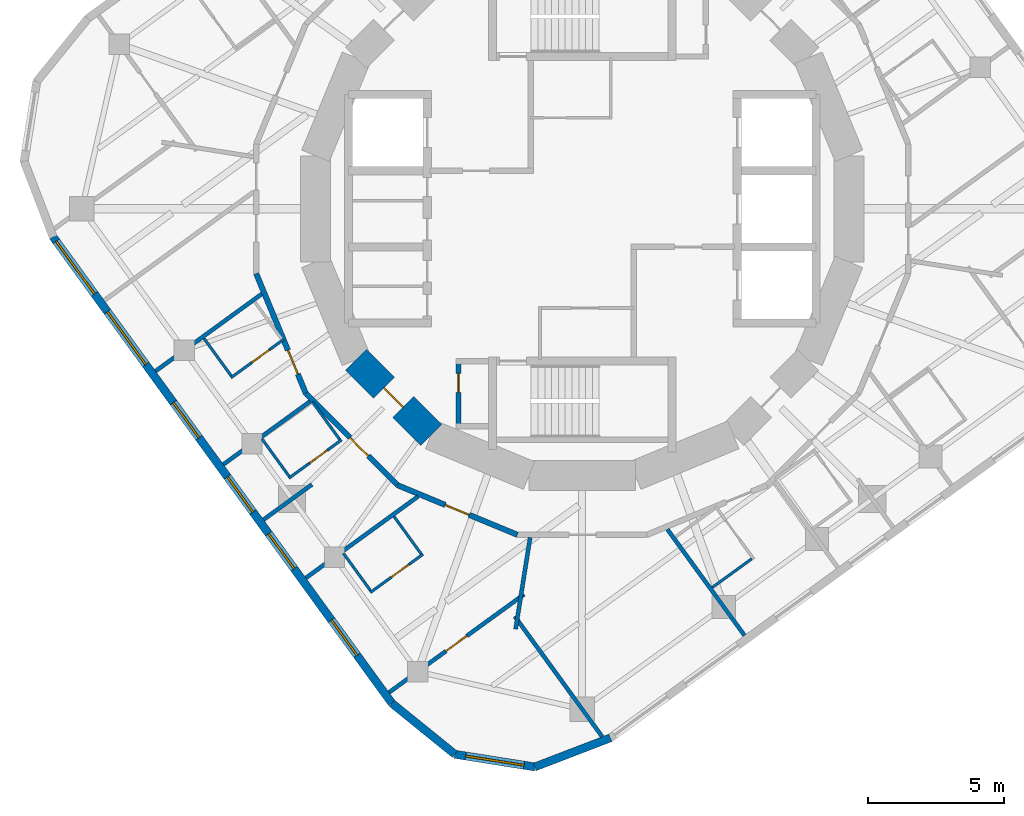
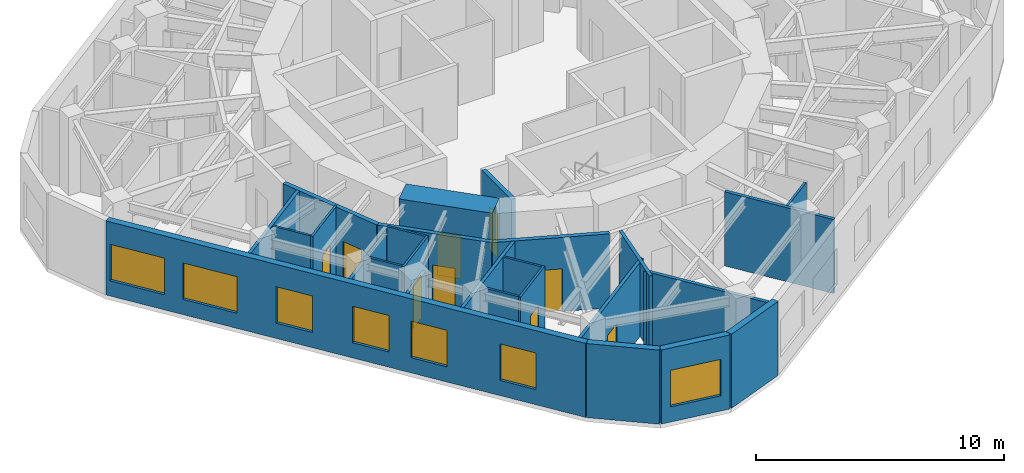
# One storey, part 3 of 9: 26 walls, 9 doors, 7 windows, 16 openings.
"""IFC4 building model written with IfcOpenShell, lengths in metres."""

from ifc_helpers import new_model, si_unit, direction, frame, frame_2d, origin, place, context, subcontext, project, spatial, rectangle, extrude, material, layer, layer_set, type_object, element, fill, save


model = new_model("IFC4")

# Units and contexts
model_context = context("Model", 3, precision=1e-05, world=origin(), true_north=direction((0.0, 1.0)))
body_context = subcontext(model_context, "Body", "Model", "MODEL_VIEW")
ifc_project = project(units=[si_unit("LENGTHUNIT", "METRE"), si_unit("AREAUNIT", "SQUARE_METRE"), si_unit("VOLUMEUNIT", "CUBIC_METRE"), si_unit("PLANEANGLEUNIT", "RADIAN"), si_unit("MASSUNIT", "GRAM", prefix="KILO")], contexts=[model_context])

# Site, building, storey
site_placement = place(None, origin())
site = spatial("IfcSite", under=ifc_project, at=site_placement, CompositionType="ELEMENT")
building_placement = place(site_placement, origin())
building = spatial("IfcBuilding", under=site, at=building_placement, Name="Nakasero Lantern House", CompositionType="ELEMENT")
storey_placement = place(building_placement, frame((0.0, 0.0, 283.0)))
storey = spatial("IfcBuildingStorey", under=building, at=storey_placement, Name="L69", CompositionType="ELEMENT", Elevation=283.0)

# Wall, opening, door
ifc_material_1 = material(Name="Concrete C50/60", Category="concrete")
ifc_layer_1 = layer(ifc_material_1, 1.10009765625)
ifc_layer_set_1 = layer_set([ifc_layer_1], Name="Core wall 1100")
wall_type_1 = type_object("IfcWallType", Name="Core wall 1100", PredefinedType="SHEAR", material=ifc_layer_set_1)
wall_1_placement = place(storey_placement, frame((-8.314697265625, -5.5556640625, 0.0), z_axis=(0.0, 0.0, 1.0), x_axis=(0.707106781187, -0.707106781187, 0.0)))
wall_1 = element("IfcWall", 1, at=wall_1_placement, inside=storey, type_object=wall_type_1, Name="Core wall L69 facet 10", PredefinedType="SHEAR", context=body_context, shape_type="SweptSolid", body=[
    extrude(rectangle(XDim=3.90185546875, YDim=1.10009765625, at=frame_2d((1.950927734375, 0.0))), origin(), (0.0, 0.0, 1.0), 3.85009765625),
])
opening_1_placement = place(wall_1_placement, frame((1.450927734375, 0.0, 0.0)))
opening_1 = element("IfcOpeningElement", 2, at=opening_1_placement, cuts=wall_1, Name="Opening D05", PredefinedType="OPENING", context=body_context, shape_type="SweptSolid", body=[
    extrude(rectangle(XDim=1.0, YDim=2.10009765625, at=frame_2d((0.5, 1.050048828125))), frame((0.0, 0.570068359375, 0.0), z_axis=(0.0, -1.0, 0.0), x_axis=(1.0, 0.0, 0.0)), (0.0, 0.0, 1.0), 1.14013671875),
])
ifc_material_2 = material(Name="Timber C24", Category="wood")
door_type_1 = type_object("IfcDoorType", Name="Core door FD60S 1000", OperationType="SINGLE_SWING_LEFT", PredefinedType="DOOR", material=ifc_material_2)
door_1_placement = place(opening_1_placement, origin())
door_1 = element("IfcDoor", 3, at=door_1_placement, inside=storey, type_object=door_type_1, Name="Door L69 D-CORE10", OperationType="SINGLE_SWING_LEFT", OverallHeight=2.10009765625, OverallWidth=1.0, PredefinedType="DOOR", context=body_context, shape_type="SweptSolid", body=[
    extrude(rectangle(XDim=1.0, YDim=2.10009765625, at=frame_2d((0.5, 1.050048828125))), frame((0.0, 0.02490234375, 0.0), z_axis=(0.0, -1.0, 0.0), x_axis=(1.0, 0.0, 0.0)), (0.0, 0.0, 1.0), 0.050048828125),
])
fill(opening_1, door_1)

ifc_material_3 = material(Name="Blockwork", Category="masonry")
ifc_layer_2 = layer(ifc_material_3, 0.199951171875)
ifc_layer_set_2 = layer_set([ifc_layer_2], Name="Corridor wall 200")
wall_type_2 = type_object("IfcWallType", Name="Corridor wall 200", PredefinedType="PARTITIONING", material=ifc_layer_set_2)
wall_2_placement = place(storey_placement, frame((-2.384521484375, -11.98779296875, 0.0), z_axis=(0.0, 0.0, 1.0), x_axis=(-0.923885182372, 0.382669792111, 0.0)))
wall_2 = element("IfcWall", 4, at=wall_2_placement, inside=storey, type_object=wall_type_2, Name="Corridor wall L69 RC05a", PredefinedType="PARTITIONING", context=body_context, shape_type="SweptSolid", body=[
    extrude(rectangle(XDim=4.76904296875, YDim=0.199951171875, at=frame_2d((2.384521484375, 0.0))), origin(), (0.0, 0.0, 1.0), 3.64990234375),
])
opening_2_placement = place(wall_2_placement, frame((1.919921875, 0.0, 0.0)))
opening_2 = element("IfcOpeningElement", 5, at=opening_2_placement, cuts=wall_2, Name="Opening D01", PredefinedType="OPENING", context=body_context, shape_type="SweptSolid", body=[
    extrude(rectangle(XDim=0.949951171875, YDim=2.10009765625, at=frame_2d((0.47509765625, 1.050048828125))), frame((0.0, 0.119873046875, 0.0), z_axis=(0.0, -1.0, 0.0), x_axis=(1.0, 0.0, 0.0)), (0.0, 0.0, 1.0), 0.239990234375),
])
ifc_material_4 = material(Name="Timber C24", Category="wood")
door_type_2 = type_object("IfcDoorType", Name="Bedroom door FD30S 950", OperationType="SINGLE_SWING_LEFT", PredefinedType="DOOR", material=ifc_material_4)
door_2_placement = place(opening_2_placement, origin())
door_2 = element("IfcDoor", 6, at=door_2_placement, inside=storey, type_object=door_type_2, Name="Door L69 D2-06", OperationType="SINGLE_SWING_RIGHT", OverallHeight=2.10009765625, OverallWidth=0.949951171875, PredefinedType="DOOR", context=body_context, shape_type="SweptSolid", body=[
    extrude(rectangle(XDim=0.949951171875, YDim=2.10009765625, at=frame_2d((0.47509765625, 1.050048828125))), frame((0.0, 0.02490234375, 0.0), z_axis=(0.0, -1.0, 0.0), x_axis=(1.0, 0.0, 0.0)), (0.0, 0.0, 1.0), 0.050048828125),
])
fill(opening_2, door_2)

wall_3_placement = place(storey_placement, frame((-6.79052734375, -10.162841796875, 0.0), z_axis=(0.0, 0.0, 1.0), x_axis=(-0.707106781187, 0.707106781187, 0.0)))
wall_3 = element("IfcWall", 7, at=wall_3_placement, inside=storey, type_object=wall_type_2, Name="Corridor wall L69 RC06a", PredefinedType="PARTITIONING", context=body_context, shape_type="SweptSolid", body=[
    extrude(rectangle(XDim=4.769287109375, YDim=0.199951171875, at=frame_2d((2.384765625, 0.0))), origin(), (0.0, 0.0, 1.0), 3.64990234375),
])
opening_3_placement = place(wall_3_placement, frame((1.52001953125, 0.0, 0.0)))
opening_3 = element("IfcOpeningElement", 8, at=opening_3_placement, cuts=wall_3, Name="Opening D01", PredefinedType="OPENING", context=body_context, shape_type="SweptSolid", body=[
    extrude(rectangle(XDim=0.949951171875, YDim=2.10009765625, at=frame_2d((0.47509765625, 1.050048828125))), frame((0.0, 0.119873046875, 0.0), z_axis=(0.0, -1.0, 0.0), x_axis=(1.0, 0.0, 0.0)), (0.0, 0.0, 1.0), 0.239990234375),
])
door_3_placement = place(opening_3_placement, origin())
door_3 = element("IfcDoor", 9, at=door_3_placement, inside=storey, type_object=door_type_2, Name="Door L69 D2-04", OperationType="SINGLE_SWING_LEFT", OverallHeight=2.10009765625, OverallWidth=0.949951171875, PredefinedType="DOOR", context=body_context, shape_type="SweptSolid", body=[
    extrude(rectangle(XDim=0.949951171875, YDim=2.10009765625, at=frame_2d((0.47509765625, 1.050048828125))), frame((0.0, 0.02490234375, 0.0), z_axis=(0.0, -1.0, 0.0), x_axis=(1.0, 0.0, 0.0)), (0.0, 0.0, 1.0), 0.050048828125),
])
fill(opening_3, door_3)

wall_4_placement = place(storey_placement, frame((-10.162841796875, -6.79052734375, 0.0), z_axis=(0.0, 0.0, 1.0), x_axis=(-0.382669792111, 0.923885182372, 0.0)))
wall_4 = element("IfcWall", 10, at=wall_4_placement, inside=storey, type_object=wall_type_2, Name="Corridor wall L69 RC07a", PredefinedType="PARTITIONING", context=body_context, shape_type="SweptSolid", body=[
    extrude(rectangle(XDim=4.76904296875, YDim=0.199951171875, at=frame_2d((2.384521484375, 0.0))), origin(), (0.0, 0.0, 1.0), 3.64990234375),
])
opening_4_placement = place(wall_4_placement, frame((0.77001953125, 0.0, 0.0)))
opening_4 = element("IfcOpeningElement", 11, at=opening_4_placement, cuts=wall_4, Name="Opening D01", PredefinedType="OPENING", context=body_context, shape_type="SweptSolid", body=[
    extrude(rectangle(XDim=0.949951171875, YDim=2.10009765625, at=frame_2d((0.47509765625, 1.050048828125))), frame((0.0, 0.119873046875, 0.0), z_axis=(0.0, -1.0, 0.0), x_axis=(1.0, 0.0, 0.0)), (0.0, 0.0, 1.0), 0.239990234375),
])
door_4_placement = place(opening_4_placement, origin())
door_4 = element("IfcDoor", 12, at=door_4_placement, inside=storey, type_object=door_type_2, Name="Door L69 D2-03", OperationType="SINGLE_SWING_LEFT", OverallHeight=2.10009765625, OverallWidth=0.949951171875, PredefinedType="DOOR", context=body_context, shape_type="SweptSolid", body=[
    extrude(rectangle(XDim=0.949951171875, YDim=2.10009765625, at=frame_2d((0.47509765625, 1.050048828125))), frame((0.0, 0.02490234375, 0.0), z_axis=(0.0, -1.0, 0.0), x_axis=(1.0, 0.0, 0.0)), (0.0, 0.0, 1.0), 0.050048828125),
])
fill(opening_4, door_4)

ifc_material_5 = material(Name="Blockwork", Category="masonry")
ifc_layer_3 = layer(ifc_material_5, 0.10009765625)
ifc_layer_set_3 = layer_set([ifc_layer_3], Name="En-suite wall 100")
wall_type_3 = type_object("IfcWallType", Name="En-suite wall 100", PredefinedType="PARTITIONING", material=ifc_layer_set_3)
wall_5_placement = place(storey_placement, frame((-10.97705078125, -4.80126953125, 0.0), z_axis=(0.0, 0.0, 1.0), x_axis=(-0.809026317077, -0.587772420479, 0.0)))
wall_5 = element("IfcWall", 13, at=wall_5_placement, inside=storey, type_object=wall_type_3, Name="En-suite wall L69 ES2-03", PredefinedType="PARTITIONING", context=body_context, shape_type="SweptSolid", body=[
    extrude(rectangle(XDim=2.39990234375, YDim=0.10009765625, at=frame_2d((1.199951171875, 0.0))), origin(), (0.0, 0.0, 1.0), 3.64990234375),
])
opening_5_placement = place(wall_5_placement, frame((0.64990234375, 0.0, 0.0)))
opening_5 = element("IfcOpeningElement", 14, at=opening_5_placement, cuts=wall_5, Name="Opening D02", PredefinedType="OPENING", context=body_context, shape_type="SweptSolid", body=[
    extrude(rectangle(XDim=0.800048828125, YDim=2.10009765625, at=frame_2d((0.39990234375, 1.050048828125))), frame((0.0, 0.070068359375, 0.0), z_axis=(0.0, -1.0, 0.0), x_axis=(1.0, 0.0, 0.0)), (0.0, 0.0, 1.0), 0.14013671875),
])
ifc_material_6 = material(Name="Timber C24", Category="wood")
door_type_3 = type_object("IfcDoorType", Name="En-suite door 800", OperationType="SINGLE_SWING_RIGHT", PredefinedType="DOOR", material=ifc_material_6)
door_5_placement = place(opening_5_placement, origin())
door_5 = element("IfcDoor", 15, at=door_5_placement, inside=storey, type_object=door_type_3, Name="Door L69 DE2-03", OperationType="SINGLE_SWING_LEFT", OverallHeight=2.10009765625, OverallWidth=0.800048828125, PredefinedType="DOOR", context=body_context, shape_type="SweptSolid", body=[
    extrude(rectangle(XDim=0.800048828125, YDim=2.10009765625, at=frame_2d((0.39990234375, 1.050048828125))), frame((0.0, 0.02490234375, 0.0), z_axis=(0.0, -1.0, 0.0), x_axis=(1.0, 0.0, 0.0)), (0.0, 0.0, 1.0), 0.050048828125),
])
fill(opening_5, door_5)

# Wall
wall_6_placement = place(storey_placement, frame((-13.906982421875, -4.766845703125, 0.0), z_axis=(0.0, 0.0, 1.0), x_axis=(0.587821529301, -0.808990636343, 0.0)))
element("IfcWall", 16, at=wall_6_placement, inside=storey, type_object=wall_type_3, Name="En-suite wall L69 EE2-03", PredefinedType="PARTITIONING", context=body_context, shape_type="SweptSolid", body=[
    extrude(rectangle(XDim=1.699951171875, YDim=0.10009765625, at=frame_2d((0.85009765625, 0.0))), origin(), (0.0, 0.0, 1.0), 3.64990234375),
])

# Wall, opening, door
wall_7_placement = place(storey_placement, frame((-8.846435546875, -8.495849609375, 0.0), z_axis=(0.0, 0.0, 1.0), x_axis=(-0.809026317077, -0.587772420479, 0.0)))
wall_7 = element("IfcWall", 17, at=wall_7_placement, inside=storey, type_object=wall_type_3, Name="En-suite wall L69 ES2-04", PredefinedType="PARTITIONING", context=body_context, shape_type="SweptSolid", body=[
    extrude(rectangle(XDim=2.39990234375, YDim=0.10009765625, at=frame_2d((1.199951171875, 0.0))), origin(), (0.0, 0.0, 1.0), 3.64990234375),
])
opening_6_placement = place(wall_7_placement, frame((0.64990234375, 0.0, 0.0)))
opening_6 = element("IfcOpeningElement", 18, at=opening_6_placement, cuts=wall_7, Name="Opening D02", PredefinedType="OPENING", context=body_context, shape_type="SweptSolid", body=[
    extrude(rectangle(XDim=0.800048828125, YDim=2.10009765625, at=frame_2d((0.39990234375, 1.050048828125))), frame((0.0, 0.070068359375, 0.0), z_axis=(0.0, -1.0, 0.0), x_axis=(1.0, 0.0, 0.0)), (0.0, 0.0, 1.0), 0.14013671875),
])
door_6_placement = place(opening_6_placement, origin())
door_6 = element("IfcDoor", 19, at=door_6_placement, inside=storey, type_object=door_type_3, Name="Door L69 DE2-04", OperationType="SINGLE_SWING_LEFT", OverallHeight=2.10009765625, OverallWidth=0.800048828125, PredefinedType="DOOR", context=body_context, shape_type="SweptSolid", body=[
    extrude(rectangle(XDim=0.800048828125, YDim=2.10009765625, at=frame_2d((0.39990234375, 1.050048828125))), frame((0.0, 0.02490234375, 0.0), z_axis=(0.0, -1.0, 0.0), x_axis=(1.0, 0.0, 0.0)), (0.0, 0.0, 1.0), 0.050048828125),
])
fill(opening_6, door_6)

# Walls
wall_8_placement = place(storey_placement, frame((-11.7763671875, -8.461181640625, 0.0), z_axis=(0.0, 0.0, 1.0), x_axis=(0.58775323954, -0.809040252033, 0.0)))
element("IfcWall", 20, at=wall_8_placement, inside=storey, type_object=wall_type_3, Name="En-suite wall L69 EE2-04", PredefinedType="PARTITIONING", context=body_context, shape_type="SweptSolid", body=[
    extrude(rectangle(XDim=1.7001953125, YDim=0.10009765625, at=frame_2d((0.85009765625, 0.0))), origin(), (0.0, 0.0, 1.0), 3.64990234375),
])
wall_9_placement = place(storey_placement, frame((-9.91552734375, -7.109375, 0.0), z_axis=(0.0, 0.0, 1.0), x_axis=(0.587821529301, -0.808990636343, 0.0)))
element("IfcWall", 21, at=wall_9_placement, inside=storey, type_object=wall_type_3, Name="En-suite wall L69 EI2-04", PredefinedType="PARTITIONING", context=body_context, shape_type="SweptSolid", body=[
    extrude(rectangle(XDim=1.699951171875, YDim=0.10009765625, at=frame_2d((0.85009765625, 0.0))), origin(), (0.0, 0.0, 1.0), 3.64990234375),
])

# Wall, opening, door
wall_10_placement = place(storey_placement, frame((-5.852783203125, -12.7001953125, 0.0), z_axis=(0.0, 0.0, 1.0), x_axis=(-0.809026317077, -0.587772420479, 0.0)))
wall_10 = element("IfcWall", 22, at=wall_10_placement, inside=storey, type_object=wall_type_3, Name="En-suite wall L69 ES2-06", PredefinedType="PARTITIONING", context=body_context, shape_type="SweptSolid", body=[
    extrude(rectangle(XDim=2.39990234375, YDim=0.10009765625, at=frame_2d((1.199951171875, 0.0))), origin(), (0.0, 0.0, 1.0), 3.64990234375),
])
opening_7_placement = place(wall_10_placement, frame((0.64990234375, 0.0, 0.0)))
opening_7 = element("IfcOpeningElement", 23, at=opening_7_placement, cuts=wall_10, Name="Opening D02", PredefinedType="OPENING", context=body_context, shape_type="SweptSolid", body=[
    extrude(rectangle(XDim=0.800048828125, YDim=2.10009765625, at=frame_2d((0.39990234375, 1.050048828125))), frame((0.0, 0.070068359375, 0.0), z_axis=(0.0, -1.0, 0.0), x_axis=(1.0, 0.0, 0.0)), (0.0, 0.0, 1.0), 0.14013671875),
])
door_7_placement = place(opening_7_placement, origin())
door_7 = element("IfcDoor", 24, at=door_7_placement, inside=storey, type_object=door_type_3, Name="Door L69 DE2-06", OperationType="SINGLE_SWING_LEFT", OverallHeight=2.10009765625, OverallWidth=0.800048828125, PredefinedType="DOOR", context=body_context, shape_type="SweptSolid", body=[
    extrude(rectangle(XDim=0.800048828125, YDim=2.10009765625, at=frame_2d((0.39990234375, 1.050048828125))), frame((0.0, 0.02490234375, 0.0), z_axis=(0.0, -1.0, 0.0), x_axis=(1.0, 0.0, 0.0)), (0.0, 0.0, 1.0), 0.050048828125),
])
fill(opening_7, door_7)

# Walls
wall_11_placement = place(storey_placement, frame((-8.78271484375, -12.665771484375, 0.0), z_axis=(0.0, 0.0, 1.0), x_axis=(0.587821529301, -0.808990636343, 0.0)))
element("IfcWall", 25, at=wall_11_placement, inside=storey, type_object=wall_type_3, Name="En-suite wall L69 EE2-06", PredefinedType="PARTITIONING", context=body_context, shape_type="SweptSolid", body=[
    extrude(rectangle(XDim=1.699951171875, YDim=0.10009765625, at=frame_2d((0.85009765625, 0.0))), origin(), (0.0, 0.0, 1.0), 3.64990234375),
])
wall_12_placement = place(storey_placement, frame((-6.921875, -11.313720703125, 0.0), z_axis=(0.0, 0.0, 1.0), x_axis=(0.58775323954, -0.809040252033, 0.0)))
element("IfcWall", 26, at=wall_12_placement, inside=storey, type_object=wall_type_3, Name="En-suite wall L69 EI2-06", PredefinedType="PARTITIONING", context=body_context, shape_type="SweptSolid", body=[
    extrude(rectangle(XDim=1.7001953125, YDim=0.10009765625, at=frame_2d((0.85009765625, 0.0))), origin(), (0.0, 0.0, 1.0), 3.64990234375),
])
wall_13_placement = place(storey_placement, frame((4.781005859375, -13.926513671875, 0.0), z_axis=(0.0, 0.0, 1.0), x_axis=(0.808958916286, 0.58786518162, 0.0)))
element("IfcWall", 27, at=wall_13_placement, inside=storey, type_object=wall_type_3, Name="En-suite wall L69 EE3-03", PredefinedType="PARTITIONING", context=body_context, shape_type="SweptSolid", body=[
    extrude(rectangle(XDim=1.7998046875, YDim=0.10009765625, at=frame_2d((0.89990234375, 0.0))), origin(), (0.0, 0.0, 1.0), 3.64990234375),
])

# Wall, openings, windows
ifc_material_7 = material(Name="Aluminium rainscreen on blockwork", Category="masonry")
ifc_layer_4 = layer(ifc_material_7, 0.300048828125)
ifc_layer_set_4 = layer_set([ifc_layer_4], Name="Facade wall 300")
wall_type_4 = type_object("IfcWallType", Name="Facade wall 300", PredefinedType="SOLIDWALL", material=ifc_layer_set_4)
wall_14_placement = place(storey_placement, frame((-19.4580078125, -1.03466796875, 0.0), z_axis=(0.0, 0.0, 1.0), x_axis=(0.587790233451, -0.809013375328, 0.0)))
wall_14 = element("IfcWall", 28, at=wall_14_placement, inside=storey, type_object=wall_type_4, Name="Facade wall L69 FW2S", PredefinedType="SOLIDWALL", context=body_context, shape_type="SweptSolid", body=[
    extrude(rectangle(XDim=21.199951171875, YDim=0.300048828125, at=frame_2d((10.60009765625, 0.0))), origin(), (0.0, 0.0, 1.0), 3.64990234375),
])
opening_8_placement = place(wall_14_placement, frame((7.52783203125, 0.0, 0.75)))
opening_8 = element("IfcOpeningElement", 29, at=opening_8_placement, cuts=wall_14, Name="Opening W01", PredefinedType="OPENING", context=body_context, shape_type="SweptSolid", body=[
    extrude(rectangle(XDim=1.60009765625, YDim=1.800048828125, at=frame_2d((0.800048828125, 0.89990234375))), frame((0.0, 0.169921875, 0.0), z_axis=(0.0, -1.0, 0.0), x_axis=(1.0, 0.0, 0.0)), (0.0, 0.0, 1.0), 0.340087890625),
])
opening_9_placement = place(wall_14_placement, frame((10.904052734375, 0.0, 0.75)))
opening_9 = element("IfcOpeningElement", 30, at=opening_9_placement, cuts=wall_14, Name="Opening W01", PredefinedType="OPENING", context=body_context, shape_type="SweptSolid", body=[
    extrude(rectangle(XDim=1.60009765625, YDim=1.800048828125, at=frame_2d((0.800048828125, 0.89990234375))), frame((0.0, 0.169921875, 0.0), z_axis=(0.0, -1.0, 0.0), x_axis=(1.0, 0.0, 0.0)), (0.0, 0.0, 1.0), 0.340087890625),
])
opening_10_placement = place(wall_14_placement, frame((13.484619140625, 0.0, 0.75)))
opening_10 = element("IfcOpeningElement", 31, at=opening_10_placement, cuts=wall_14, Name="Opening W01", PredefinedType="OPENING", context=body_context, shape_type="SweptSolid", body=[
    extrude(rectangle(XDim=1.60009765625, YDim=1.800048828125, at=frame_2d((0.800048828125, 0.89990234375))), frame((0.0, 0.169921875, 0.0), z_axis=(0.0, -1.0, 0.0), x_axis=(1.0, 0.0, 0.0)), (0.0, 0.0, 1.0), 0.340087890625),
])
opening_11_placement = place(wall_14_placement, frame((17.410888671875, 0.0, 0.75)))
opening_11 = element("IfcOpeningElement", 32, at=opening_11_placement, cuts=wall_14, Name="Opening W01", PredefinedType="OPENING", context=body_context, shape_type="SweptSolid", body=[
    extrude(rectangle(XDim=1.60009765625, YDim=1.800048828125, at=frame_2d((0.800048828125, 0.89990234375))), frame((0.0, 0.169921875, 0.0), z_axis=(0.0, -1.0, 0.0), x_axis=(1.0, 0.0, 0.0)), (0.0, 0.0, 1.0), 0.340087890625),
])
opening_12_placement = place(wall_14_placement, frame((0.1904296875, 0.0, 0.75)))
opening_12 = element("IfcOpeningElement", 33, at=opening_12_placement, cuts=wall_14, Name="Opening W03", PredefinedType="OPENING", context=body_context, shape_type="SweptSolid", body=[
    extrude(rectangle(XDim=2.39990234375, YDim=1.800048828125, at=frame_2d((1.199951171875, 0.89990234375))), frame((0.0, 0.169921875, 0.0), z_axis=(0.0, -1.0, 0.0), x_axis=(1.0, 0.0, 0.0)), (0.0, 0.0, 1.0), 0.340087890625),
])
opening_13_placement = place(wall_14_placement, frame((3.401611328125, 0.0, 0.75)))
opening_13 = element("IfcOpeningElement", 34, at=opening_13_placement, cuts=wall_14, Name="Opening W03", PredefinedType="OPENING", context=body_context, shape_type="SweptSolid", body=[
    extrude(rectangle(XDim=2.39990234375, YDim=1.800048828125, at=frame_2d((1.199951171875, 0.89990234375))), frame((0.0, 0.169921875, 0.0), z_axis=(0.0, -1.0, 0.0), x_axis=(1.0, 0.0, 0.0)), (0.0, 0.0, 1.0), 0.340087890625),
])
ifc_material_8 = material(Name="Aluminium 6063-T6 and glass", Category="aluminium")
window_type_1 = type_object("IfcWindowType", Name="Bedroom window 1600x1800", PartitioningType="SINGLE_PANEL", PredefinedType="WINDOW", material=ifc_material_8)
window_1_placement = place(opening_8_placement, origin())
window_1 = element("IfcWindow", 35, at=window_1_placement, inside=storey, type_object=window_type_1, Name="Window L69 WN2-03", OverallHeight=1.800048828125, OverallWidth=1.60009765625, PartitioningType="SINGLE_PANEL", PredefinedType="WINDOW", context=body_context, shape_type="SweptSolid", body=[
    extrude(rectangle(XDim=1.60009765625, YDim=1.800048828125, at=frame_2d((0.800048828125, 0.89990234375))), frame((0.0, 0.030029296875, 0.0), z_axis=(0.0, -1.0, 0.0), x_axis=(1.0, 0.0, 0.0)), (0.0, 0.0, 1.0), 0.06005859375),
])
fill(opening_8, window_1)
window_2_placement = place(opening_9_placement, origin())
window_2 = element("IfcWindow", 36, at=window_2_placement, inside=storey, type_object=window_type_1, Name="Window L69 WN2-04", OverallHeight=1.800048828125, OverallWidth=1.60009765625, PartitioningType="SINGLE_PANEL", PredefinedType="WINDOW", context=body_context, shape_type="SweptSolid", body=[
    extrude(rectangle(XDim=1.60009765625, YDim=1.800048828125, at=frame_2d((0.800048828125, 0.89990234375))), frame((0.0, 0.030029296875, 0.0), z_axis=(0.0, -1.0, 0.0), x_axis=(1.0, 0.0, 0.0)), (0.0, 0.0, 1.0), 0.06005859375),
])
fill(opening_9, window_2)
window_3_placement = place(opening_10_placement, origin())
window_3 = element("IfcWindow", 37, at=window_3_placement, inside=storey, type_object=window_type_1, Name="Window L69 WN2-05", OverallHeight=1.800048828125, OverallWidth=1.60009765625, PartitioningType="SINGLE_PANEL", PredefinedType="WINDOW", context=body_context, shape_type="SweptSolid", body=[
    extrude(rectangle(XDim=1.60009765625, YDim=1.800048828125, at=frame_2d((0.800048828125, 0.89990234375))), frame((0.0, 0.030029296875, 0.0), z_axis=(0.0, -1.0, 0.0), x_axis=(1.0, 0.0, 0.0)), (0.0, 0.0, 1.0), 0.06005859375),
])
fill(opening_10, window_3)
window_4_placement = place(opening_11_placement, origin())
window_4 = element("IfcWindow", 38, at=window_4_placement, inside=storey, type_object=window_type_1, Name="Window L69 WN2-06", OverallHeight=1.800048828125, OverallWidth=1.60009765625, PartitioningType="SINGLE_PANEL", PredefinedType="WINDOW", context=body_context, shape_type="SweptSolid", body=[
    extrude(rectangle(XDim=1.60009765625, YDim=1.800048828125, at=frame_2d((0.800048828125, 0.89990234375))), frame((0.0, 0.030029296875, 0.0), z_axis=(0.0, -1.0, 0.0), x_axis=(1.0, 0.0, 0.0)), (0.0, 0.0, 1.0), 0.06005859375),
])
fill(opening_11, window_4)
ifc_material_9 = material(Name="Aluminium 6063-T6 and glass", Category="aluminium")
window_type_2 = type_object("IfcWindowType", Name="Lounge window 2400x1800", PartitioningType="SINGLE_PANEL", PredefinedType="WINDOW", material=ifc_material_9)
window_5_placement = place(opening_12_placement, origin())
window_5 = element("IfcWindow", 39, at=window_5_placement, inside=storey, type_object=window_type_2, Name="Window L69 WK2", OverallHeight=1.800048828125, OverallWidth=2.39990234375, PartitioningType="SINGLE_PANEL", PredefinedType="WINDOW", context=body_context, shape_type="SweptSolid", body=[
    extrude(rectangle(XDim=2.39990234375, YDim=1.800048828125, at=frame_2d((1.199951171875, 0.89990234375))), frame((0.0, 0.030029296875, 0.0), z_axis=(0.0, -1.0, 0.0), x_axis=(1.0, 0.0, 0.0)), (0.0, 0.0, 1.0), 0.06005859375),
])
fill(opening_12, window_5)
window_6_placement = place(opening_13_placement, origin())
window_6 = element("IfcWindow", 40, at=window_6_placement, inside=storey, type_object=window_type_2, Name="Window L69 WL2", OverallHeight=1.800048828125, OverallWidth=2.39990234375, PartitioningType="SINGLE_PANEL", PredefinedType="WINDOW", context=body_context, shape_type="SweptSolid", body=[
    extrude(rectangle(XDim=2.39990234375, YDim=1.800048828125, at=frame_2d((1.199951171875, 0.89990234375))), frame((0.0, 0.030029296875, 0.0), z_axis=(0.0, -1.0, 0.0), x_axis=(1.0, 0.0, 0.0)), (0.0, 0.0, 1.0), 0.06005859375),
])
fill(opening_13, window_6)

# Wall
wall_15_placement = place(storey_placement, frame((-6.996826171875, -18.185791015625, 0.0), z_axis=(0.0, 0.0, 1.0), x_axis=(0.777101588319, -0.629375183362, 0.0)))
element("IfcWall", 41, at=wall_15_placement, inside=storey, type_object=wall_type_4, Name="Facade wall L69 FW2C1", PredefinedType="SOLIDWALL", context=body_context, shape_type="SweptSolid", body=[
    extrude(rectangle(XDim=2.976318359375, YDim=0.300048828125, at=frame_2d((1.48828125, 0.0))), origin(), (0.0, 0.0, 1.0), 3.64990234375),
])

# Wall, opening, window
wall_16_placement = place(storey_placement, frame((-4.683837890625, -20.05908203125, 0.0), z_axis=(0.0, 0.0, 1.0), x_axis=(0.987691704133, -0.156413227021, 0.0)))
wall_16 = element("IfcWall", 42, at=wall_16_placement, inside=storey, type_object=wall_type_4, Name="Facade wall L69 FW2C2", PredefinedType="SOLIDWALL", context=body_context, shape_type="SweptSolid", body=[
    extrude(rectangle(XDim=2.9765625, YDim=0.300048828125, at=frame_2d((1.48828125, 0.0))), origin(), (0.0, 0.0, 1.0), 3.64990234375),
])
opening_14_placement = place(wall_16_placement, frame((0.39990234375, 0.0, 0.75)))
opening_14 = element("IfcOpeningElement", 43, at=opening_14_placement, cuts=wall_16, Name="Opening W221", PredefinedType="OPENING", context=body_context, shape_type="SweptSolid", body=[
    extrude(rectangle(XDim=2.176025390625, YDim=1.800048828125, at=frame_2d((1.087890625, 0.89990234375))), frame((0.0, 0.169921875, 0.0), z_axis=(0.0, -1.0, 0.0), x_axis=(1.0, 0.0, 0.0)), (0.0, 0.0, 1.0), 0.340087890625),
])
ifc_material_10 = material(Name="Aluminium 6063-T6 and glass", Category="aluminium")
window_type_3 = type_object("IfcWindowType", Name="Corner window 2176x1800", PartitioningType="SINGLE_PANEL", PredefinedType="WINDOW", material=ifc_material_10)
window_7_placement = place(opening_14_placement, origin())
window_7 = element("IfcWindow", 44, at=window_7_placement, inside=storey, type_object=window_type_3, Name="Window L69 WC2", OverallHeight=1.800048828125, OverallWidth=2.176025390625, PartitioningType="SINGLE_PANEL", PredefinedType="WINDOW", context=body_context, shape_type="SweptSolid", body=[
    extrude(rectangle(XDim=2.176025390625, YDim=1.800048828125, at=frame_2d((1.087890625, 0.89990234375))), frame((0.0, 0.030029296875, 0.0), z_axis=(0.0, -1.0, 0.0), x_axis=(1.0, 0.0, 0.0)), (0.0, 0.0, 1.0), 0.06005859375),
])
fill(opening_14, window_7)

# Wall
wall_17_placement = place(storey_placement, frame((-1.743896484375, -20.524658203125, 0.0), z_axis=(0.0, 0.0, 1.0), x_axis=(0.933573745966, 0.35838535244, 0.0)))
element("IfcWall", 45, at=wall_17_placement, inside=storey, type_object=wall_type_4, Name="Facade wall L69 FW2C3", PredefinedType="SOLIDWALL", context=body_context, shape_type="SweptSolid", body=[
    extrude(rectangle(XDim=2.976318359375, YDim=0.300048828125, at=frame_2d((1.48828125, 0.0))), origin(), (0.0, 0.0, 1.0), 3.64990234375),
])

# Wall, opening, door
ifc_material_11 = material(Name="Blockwork", Category="masonry")
ifc_layer_5 = layer(ifc_material_11, 0.199951171875)
ifc_layer_set_5 = layer_set([ifc_layer_5], Name="Fire lobby wall 200")
wall_type_5 = type_object("IfcWallType", Name="Fire lobby wall 200", PredefinedType="PARTITIONING", material=ifc_layer_set_5)
wall_18_placement = place(storey_placement, frame((-4.550048828125, -5.60009765625, 0.0), z_axis=(0.0, 0.0, 1.0), x_axis=(0.0, -1.0, 0.0)))
wall_18 = element("IfcWall", 46, at=wall_18_placement, inside=storey, type_object=wall_type_5, Name="Fire lobby wall L69 W-RS2W", PredefinedType="PARTITIONING", context=body_context, shape_type="SweptSolid", body=[
    extrude(rectangle(XDim=2.39990234375, YDim=0.199951171875, at=frame_2d((1.199951171875, 0.0))), origin(), (0.0, 0.0, 1.0), 3.64990234375),
])
opening_15_placement = place(wall_18_placement, frame((0.449951171875, 0.0, 0.0)))
opening_15 = element("IfcOpeningElement", 47, at=opening_15_placement, cuts=wall_18, Name="Opening D06", PredefinedType="OPENING", context=body_context, shape_type="SweptSolid", body=[
    extrude(rectangle(XDim=0.699951171875, YDim=2.10009765625, at=frame_2d((0.35009765625, 1.050048828125))), frame((0.0, 0.119873046875, 0.0), z_axis=(0.0, -1.0, 0.0), x_axis=(1.0, 0.0, 0.0)), (0.0, 0.0, 1.0), 0.239990234375),
])
ifc_material_12 = material(Name="Steel S355", Category="steel")
door_type_4 = type_object("IfcDoorType", Name="Riser door FD60 700", OperationType="SINGLE_SWING_LEFT", PredefinedType="DOOR", material=ifc_material_12)
door_8_placement = place(opening_15_placement, origin())
door_8 = element("IfcDoor", 48, at=door_8_placement, inside=storey, type_object=door_type_4, Name="Door L69 D-RS2", OperationType="SINGLE_SWING_LEFT", OverallHeight=2.10009765625, OverallWidth=0.699951171875, PredefinedType="DOOR", context=body_context, shape_type="SweptSolid", body=[
    extrude(rectangle(XDim=0.699951171875, YDim=2.10009765625, at=frame_2d((0.35009765625, 1.050048828125))), frame((0.0, 0.02490234375, 0.0), z_axis=(0.0, -1.0, 0.0), x_axis=(1.0, 0.0, 0.0)), (0.0, 0.0, 1.0), 0.050048828125),
])
fill(opening_15, door_8)

# Walls
ifc_material_13 = material(Name="Blockwork", Category="masonry")
ifc_layer_6 = layer(ifc_material_13, 0.14990234375)
ifc_layer_set_6 = layer_set([ifc_layer_6], Name="Party wall 150")
wall_type_6 = type_object("IfcWallType", Name="Party wall 150", PredefinedType="PARTITIONING", material=ifc_layer_set_6)
wall_19_placement = place(storey_placement, frame((-9.939208984375, -10.13818359375, 0.0), z_axis=(0.0, 0.0, 1.0), x_axis=(-0.808990345923, -0.587821928992, 0.0)))
element("IfcWall", 49, at=wall_19_placement, inside=storey, type_object=wall_type_6, Name="Party wall L69 PN2-05", PredefinedType="PARTITIONING", context=body_context, shape_type="SweptSolid", body=[
    extrude(rectangle(XDim=2.199951171875, YDim=0.14990234375, at=frame_2d((1.10009765625, 0.0))), origin(), (0.0, 0.0, 1.0), 3.294921875),
])
wall_20_placement = place(storey_placement, frame((-11.7861328125, -3.133056640625, 0.0), z_axis=(0.0, 0.0, 1.0), x_axis=(-0.809000848856, -0.587807474051, 0.0)))
element("IfcWall", 50, at=wall_20_placement, inside=storey, type_object=wall_type_6, Name="Party wall L69 PW2-03", PredefinedType="PARTITIONING", context=body_context, shape_type="SweptSolid", body=[
    extrude(rectangle(XDim=4.8232421875, YDim=0.14990234375, at=frame_2d((2.41162109375, 0.0))), origin(), (0.0, 0.0, 1.0), 3.64990234375),
])
wall_21_placement = place(storey_placement, frame((-10.009765625, -7.085205078125, 0.0), z_axis=(0.0, 0.0, 1.0), x_axis=(-0.809022902379, -0.587777120537, 0.0)))
element("IfcWall", 51, at=wall_21_placement, inside=storey, type_object=wall_type_6, Name="Party wall L69 PW2-04", PredefinedType="PARTITIONING", context=body_context, shape_type="SweptSolid", body=[
    extrude(rectangle(XDim=3.937255859375, YDim=0.14990234375, at=frame_2d((1.96875, 0.0))), origin(), (0.0, 0.0, 1.0), 3.294921875),
])
wall_22_placement = place(storey_placement, frame((-6.04150390625, -10.581298828125, 0.0), z_axis=(0.0, 0.0, 1.0), x_axis=(-0.808997200429, -0.587812495358, 0.0)))
element("IfcWall", 52, at=wall_22_placement, inside=storey, type_object=wall_type_6, Name="Party wall L69 PW2-06", PredefinedType="PARTITIONING", context=body_context, shape_type="SweptSolid", body=[
    extrude(rectangle(XDim=5.0927734375, YDim=0.14990234375, at=frame_2d((2.54638671875, 0.0))), origin(), (0.0, 0.0, 1.0), 3.64990234375),
])

# Wall, opening, door
wall_23_placement = place(storey_placement, frame((-2.137939453125, -14.1767578125, 0.0), z_axis=(0.0, 0.0, 1.0), x_axis=(-0.809024975628, -0.587774266883, 0.0)))
wall_23 = element("IfcWall", 53, at=wall_23_placement, inside=storey, type_object=wall_type_6, Name="Party wall L69 PW2-07", PredefinedType="PARTITIONING", context=body_context, shape_type="SweptSolid", body=[
    extrude(rectangle(XDim=6.137451171875, YDim=0.14990234375, at=frame_2d((3.06884765625, 0.0))), origin(), (0.0, 0.0, 1.0), 3.64990234375),
])
opening_16_placement = place(wall_23_placement, frame((2.60009765625, 0.0, 0.0)))
opening_16 = element("IfcOpeningElement", 54, at=opening_16_placement, cuts=wall_23, Name="Opening D01", PredefinedType="OPENING", context=body_context, shape_type="SweptSolid", body=[
    extrude(rectangle(XDim=0.949951171875, YDim=2.10009765625, at=frame_2d((0.47509765625, 1.050048828125))), frame((0.0, 0.094970703125, 0.0), z_axis=(0.0, -1.0, 0.0), x_axis=(1.0, 0.0, 0.0)), (0.0, 0.0, 1.0), 0.18994140625),
])
door_9_placement = place(opening_16_placement, origin())
door_9 = element("IfcDoor", 55, at=door_9_placement, inside=storey, type_object=door_type_2, Name="Door L69 DC2", OperationType="SINGLE_SWING_RIGHT", OverallHeight=2.10009765625, OverallWidth=0.949951171875, PredefinedType="DOOR", context=body_context, shape_type="SweptSolid", body=[
    extrude(rectangle(XDim=0.949951171875, YDim=2.10009765625, at=frame_2d((0.47509765625, 1.050048828125))), frame((0.0, 0.02490234375, 0.0), z_axis=(0.0, -1.0, 0.0), x_axis=(1.0, 0.0, 0.0)), (0.0, 0.0, 1.0), 0.050048828125),
])
fill(opening_16, door_9)

# Walls
wall_24_placement = place(storey_placement, frame((-1.91455078125, -12.087890625, 0.0), z_axis=(0.0, 0.0, 1.0), x_axis=(-0.156429454775, -0.98768913413, 0.0)))
element("IfcWall", 56, at=wall_24_placement, inside=storey, type_object=wall_type_6, Name="Party wall L69 PD2", PredefinedType="PARTITIONING", context=body_context, shape_type="SweptSolid", body=[
    extrude(rectangle(XDim=3.41015625, YDim=0.14990234375, at=frame_2d((1.705078125, 0.0))), origin(), (0.0, 0.0, 1.0), 3.64990234375),
])
wall_25_placement = place(storey_placement, frame((-2.48095703125, -14.9853515625, 0.0), z_axis=(0.0, 0.0, 1.0), x_axis=(0.587775959987, -0.809023745549, 0.0)))
element("IfcWall", 57, at=wall_25_placement, inside=storey, type_object=wall_type_6, Name="Party wall L69 PW3-01", PredefinedType="PARTITIONING", context=body_context, shape_type="SweptSolid", body=[
    extrude(rectangle(XDim=5.466552734375, YDim=0.14990234375, at=frame_2d((2.7333984375, 0.0))), origin(), (0.0, 0.0, 1.0), 3.64990234375),
])
wall_26_placement = place(storey_placement, frame((3.133056640625, -11.7861328125, 0.0), z_axis=(0.0, 0.0, 1.0), x_axis=(0.587807474051, -0.809000848856, 0.0)))
element("IfcWall", 58, at=wall_26_placement, inside=storey, type_object=wall_type_6, Name="Party wall L69 PW3-03", PredefinedType="PARTITIONING", context=body_context, shape_type="SweptSolid", body=[
    extrude(rectangle(XDim=4.8232421875, YDim=0.14990234375, at=frame_2d((2.41162109375, 0.0))), origin(), (0.0, 0.0, 1.0), 3.64990234375),
])

save(model, "model.ifc")
